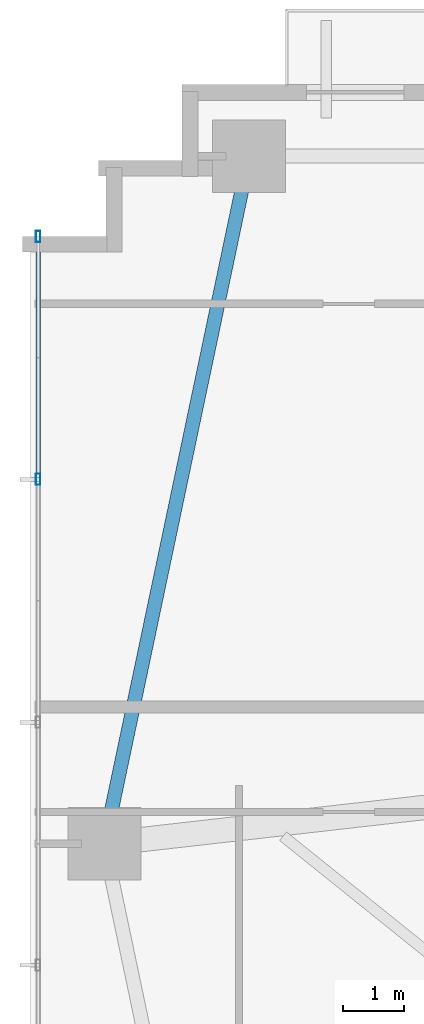
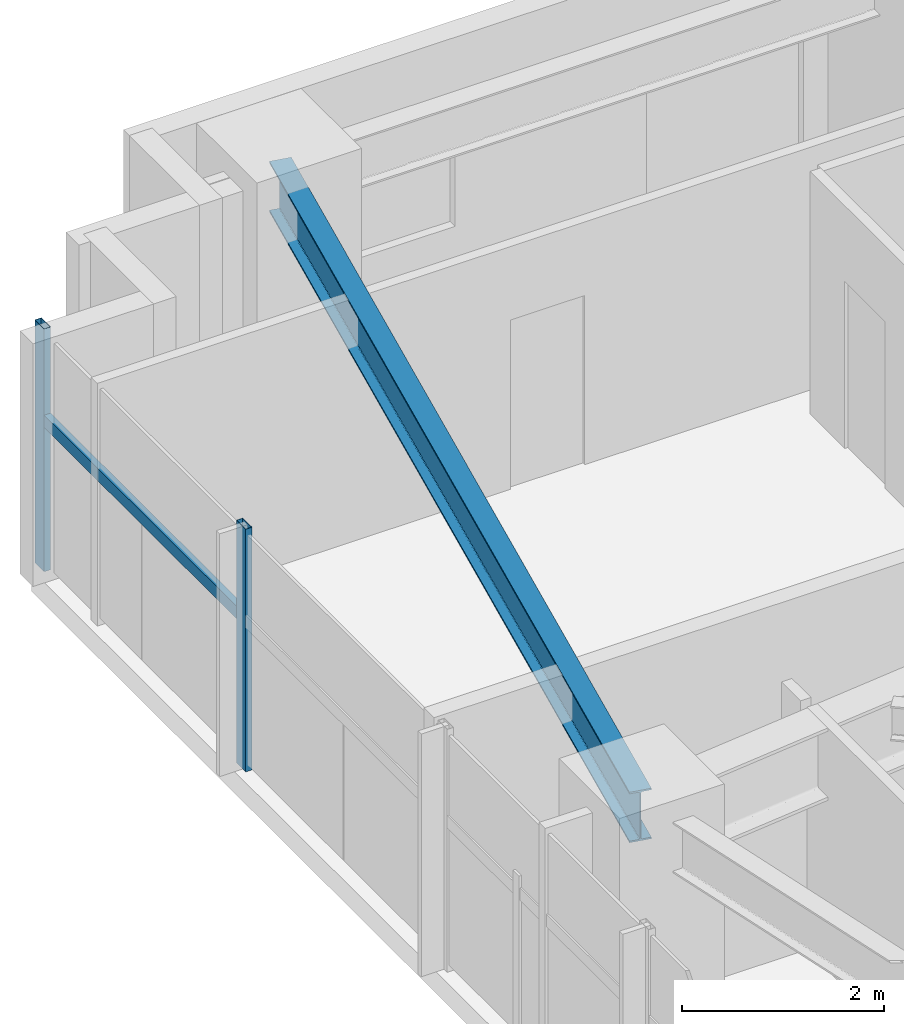
# One storey, part 8 of 25: 3 members, 1 beam, 1 element without a shape of its own.
"""IFC4 building model written with IfcOpenShell, lengths in metres."""

from ifc_helpers import new_model, si_unit, direction, frame, origin, origin_2d, place, context, subcontext, project, spatial, hollow_rectangle, i_section, extrude, source, transform, mapped, material, material_profile, profile_set, type_object, type_shapes, element, aggregate, save


model = new_model("IFC4")

# Units and contexts
model_context = context("Model", 3, precision=1e-05, world=origin(), true_north=direction((0.0, 1.0)))
body_context = subcontext(model_context, "Body", "Model", "MODEL_VIEW")
ifc_project = project(units=[si_unit("LENGTHUNIT", "METRE"), si_unit("AREAUNIT", "SQUARE_METRE"), si_unit("VOLUMEUNIT", "CUBIC_METRE"), si_unit("PLANEANGLEUNIT", "RADIAN"), si_unit("MASSUNIT", "GRAM", prefix="KILO")], contexts=[model_context])

# Site, building, storey
site_placement = place(None, origin())
site = spatial("IfcSite", under=ifc_project, at=site_placement, CompositionType="ELEMENT")
building_placement = place(site_placement, origin())
building = spatial("IfcBuilding", under=site, at=building_placement, Name="Astriad Promenade Condominiums", CompositionType="ELEMENT")
storey_placement = place(building_placement, frame((0.0, 0.0, 35.800048828125)))
storey = spatial("IfcBuildingStorey", under=building, at=storey_placement, Name="L09", CompositionType="ELEMENT", Elevation=35.800048828125)

# Beam
ifc_material_1 = material(Name="Steel ASTM A992 Grade 50", Category="steel")
ifc_material_profile_1 = material_profile(ifc_material_1, i_section(OverallWidth=0.22900390625, OverallDepth=0.612060546875, WebThickness=0.011962890625, FlangeThickness=0.01953125, FilletRadius=0.017822265625, at=origin_2d()), Name="W24X84")
ifc_profile_set_1 = profile_set([ifc_material_profile_1], Name="Steel ASTM A992 Grade 50")
beam_type = type_object("IfcBeamType", Name="STEEL SPANDREL BEAM W24X84", PredefinedType="SPANDREL", material=ifc_profile_set_1)
shared_shape_1 = source(origin(), body_context, "Body", "SweptSolid", [
    extrude(i_section(OverallWidth=0.22900390625, OverallDepth=0.612060546875, WebThickness=0.011962890625, FlangeThickness=0.01953125, FilletRadius=0.017822265625, at=origin_2d()), origin(), (0.0, 0.0, 1.0), 11.48779296875),
])
type_shapes(beam_type, [shared_shape_1])
beam_placement = place(storey_placement, frame((9.391845703125, 26.48095703125, 2.634033203125), z_axis=(-0.205743776427, -0.978605895374, 0.0), x_axis=(0.978605895374, -0.205743776427, 0.0)))
element("IfcBeam", 1, at=beam_placement, inside=storey, type_object=beam_type, Name="Perimeter Spandrel Beam SP-W2-L09", PredefinedType="SPANDREL", context=body_context, shape_type="MappedRepresentation", body=[
    mapped(shared_shape_1, transform((0.0, 0.0, 0.0), scale=1.0)),
])

# Curtain wall, members
ifc_material_2 = material(Name="Anodised aluminium Black Dark Glass Unitised", Category="aluminium")
curtain_wall_type = type_object("IfcCurtainWallType", Name="CW-B1-DARK", PredefinedType="USERDEFINED", material=ifc_material_2)
curtain_wall_placement = place(storey_placement, origin())
curtain_wall = element("IfcCurtainWall", 2, at=curtain_wall_placement, inside=storey, type_object=curtain_wall_type, Name="CW-L09-W", ObjectType="UNITISED_CURTAIN_WALL", PredefinedType="USERDEFINED")
ifc_material_3 = material(Name="Anodised aluminium 6063-T6 Black", Category="aluminium")
ifc_material_profile_2 = material_profile(ifc_material_3, hollow_rectangle(XDim=0.074951171875, YDim=0.18505859375, WallThickness=0.00439453125, at=origin_2d()), Name="ALU-MUL-75X185")
ifc_profile_set_2 = profile_set([ifc_material_profile_2], Name="Anodised aluminium 6063-T6 Black")
member_type_1 = type_object("IfcMemberType", Name="MUL-ALU-MUL-75X185", PredefinedType="MULLION", material=ifc_profile_set_2)
shared_shape_2 = source(origin(), body_context, "Body", "SweptSolid", [
    extrude(hollow_rectangle(XDim=0.074951171875, YDim=0.18505859375, WallThickness=0.00439453125, at=origin_2d()), origin(), (0.0, 0.0, 1.0), 2.93994140625),
])
type_shapes(member_type_1, [shared_shape_2])
member_1_placement = place(storey_placement, frame((5.929931640625, 21.199951171875, 0.0), z_axis=(0.0, 0.0, 1.0), x_axis=(1.0, 0.0, 0.0)))
member_1 = element("IfcMember", 3, at=member_1_placement, type_object=member_type_1, Name="CW-L09-W-MUL-04", PredefinedType="MULLION", context=body_context, shape_type="MappedRepresentation", body=[
    mapped(shared_shape_2, transform((0.0, 0.0, 0.0), scale=1.0)),
])
member_2_placement = place(storey_placement, frame((5.929931640625, 25.199951171875, 0.0), z_axis=(0.0, 0.0, 1.0), x_axis=(1.0, 0.0, 0.0)))
member_2 = element("IfcMember", 4, at=member_2_placement, type_object=member_type_1, Name="CW-L09-W-MUL-05", PredefinedType="MULLION", context=body_context, shape_type="MappedRepresentation", body=[
    mapped(shared_shape_2, transform((0.0, 0.0, 0.0), scale=1.0)),
])
ifc_material_profile_3 = material_profile(ifc_material_3, hollow_rectangle(XDim=0.074951171875, YDim=0.14990234375, WallThickness=0.004150390625, at=origin_2d()), Name="ALU-TRN-75X150")
ifc_profile_set_3 = profile_set([ifc_material_profile_3], Name="Anodised aluminium 6063-T6 Black")
member_type_2 = type_object("IfcMemberType", Name="TRN-ALU-TRN-75X150", PredefinedType="USERDEFINED", material=ifc_profile_set_3)
shared_shape_3 = source(origin(), body_context, "Body", "SweptSolid", [
    extrude(hollow_rectangle(XDim=0.074951171875, YDim=0.14990234375, WallThickness=0.004150390625, at=origin_2d()), origin(), (0.0, 0.0, 1.0), 4.0),
])
type_shapes(member_type_2, [shared_shape_3])
member_3_placement = place(storey_placement, frame((5.929931640625, 21.199951171875, 1.82275390625), z_axis=(0.0, 1.0, 0.0), x_axis=(-1.0, 0.0, 0.0)))
member_3 = element("IfcMember", 5, at=member_3_placement, type_object=member_type_2, Name="CW-L09-W-TRN-04-0", ObjectType="TRANSOM", PredefinedType="USERDEFINED", context=body_context, shape_type="MappedRepresentation", body=[
    mapped(shared_shape_3, transform((0.0, 0.0, 0.0), scale=1.0)),
])
aggregate(curtain_wall, [member_1, member_2, member_3])

save(model, "model.ifc")
